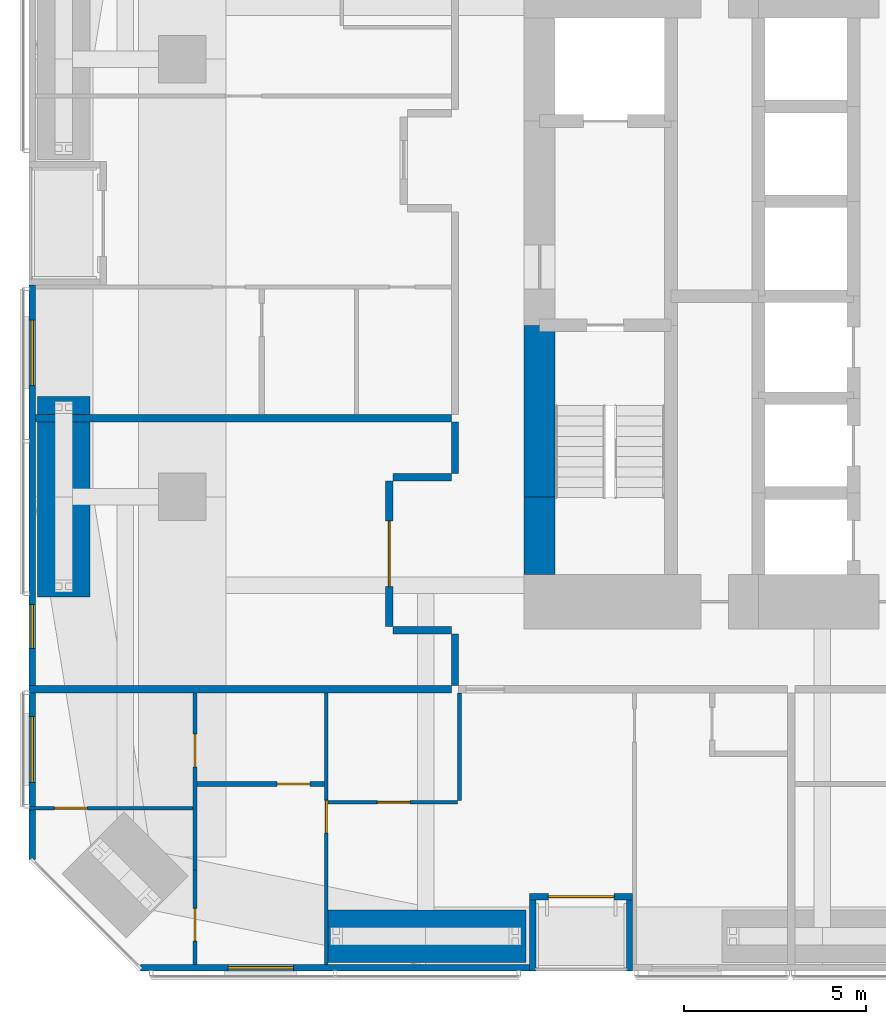
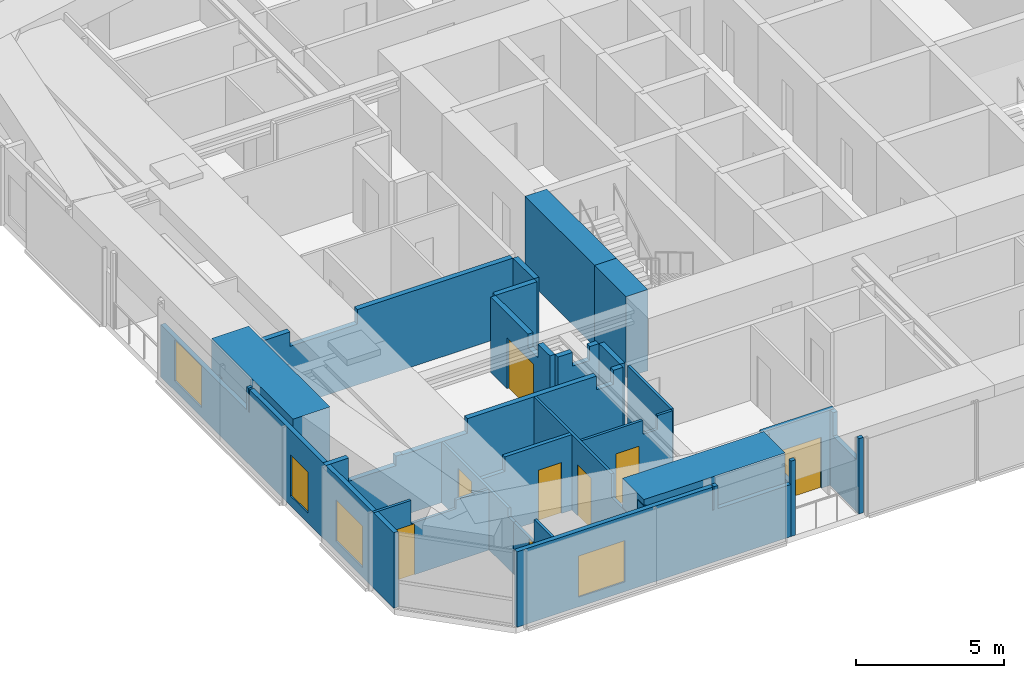
# One storey, part 17 of 24: 23 walls, 8 doors, 4 windows, 12 openings.
"""IFC4 building model written with IfcOpenShell, lengths in metres."""

from ifc_helpers import new_model, si_unit, direction, frame, frame_2d, origin, place, context, subcontext, project, spatial, polyline, rectangle, outline, extrude, material, layer, layer_set, constituent, constituent_set, type_object, element, fill, save


model = new_model("IFC4")

# Units and contexts
model_context = context("Model", 3, precision=1e-05, world=origin(), true_north=direction((0.0, 1.0)))
body_context = subcontext(model_context, "Body", "Model", "MODEL_VIEW")
ifc_project = project(units=[si_unit("LENGTHUNIT", "METRE"), si_unit("AREAUNIT", "SQUARE_METRE"), si_unit("VOLUMEUNIT", "CUBIC_METRE"), si_unit("PLANEANGLEUNIT", "RADIAN"), si_unit("MASSUNIT", "GRAM", prefix="KILO")], contexts=[model_context])

# Site, building, storey
site_placement = place(None, origin())
site = spatial("IfcSite", under=ifc_project, at=site_placement, CompositionType="ELEMENT")
building_placement = place(site_placement, origin())
building = spatial("IfcBuilding", under=site, at=building_placement, Name="Jalousie Tower", CompositionType="ELEMENT")
storey_placement = place(building_placement, frame((0.0, 0.0, 128.300048828125)))
storey = spatial("IfcBuildingStorey", under=building, at=storey_placement, Name="L35", CompositionType="ELEMENT", Elevation=128.300048828125)

# Wall, opening, door
ifc_material_1 = material(Name="Concrete block ASTM C90", Category="concrete")
ifc_constituent_1 = constituent(ifc_material_1, Name="Body")
ifc_material_2 = material(Name="Render")
ifc_constituent_2 = constituent(ifc_material_2, Name="Finish")
ifc_constituent_set_1 = constituent_set(constituents=[ifc_constituent_1, ifc_constituent_2])
wall_type_1 = type_object("IfcWallType", Name="BATHROOM WALL 150", PredefinedType="PLUMBINGWALL", material=ifc_constituent_set_1)
wall_1_placement = place(storey_placement, frame((10.60009765625, 5.125, 0.0), z_axis=(0.0, 0.0, 1.0), x_axis=(1.0, 0.0, 0.0)))
wall_1 = element("IfcWall", 1, at=wall_1_placement, inside=storey, type_object=wall_type_1, Name="Bathroom Wall 150 L35", PredefinedType="PLUMBINGWALL", context=body_context, shape_type="SweptSolid", body=[
    extrude(outline(polyline([(0.0, 0.0), (3.5, 0.0), (3.5, 3.10986328125), (0.885009765625, 3.10986328125), (0.885009765625, 2.510009765625), (0.0, 2.510009765625), (0.0, 3.10986328125), (0.0, 0.0)])), frame((0.0, 0.074951171875, 0.0), z_axis=(0.0, -1.0, 0.0), x_axis=(1.0, 0.0, 0.0)), (0.0, 0.0, 1.0), 0.14990234375),
])
opening_1_placement = place(wall_1_placement, frame((2.199951171875, 0.0, 0.0)))
opening_1 = element("IfcOpeningElement", 2, at=opening_1_placement, cuts=wall_1, Name="Opening D3", PredefinedType="OPENING", context=body_context, shape_type="SweptSolid", body=[
    extrude(rectangle(XDim=0.89990234375, YDim=2.10009765625, at=frame_2d((0.449951171875, 1.050048828125))), frame((0.0, 0.0849609375, 0.0), z_axis=(0.0, -1.0, 0.0), x_axis=(1.0, 0.0, 0.0)), (0.0, 0.0, 1.0), 0.169921875),
])
ifc_material_3 = material(Name="Timber door", Category="wood")
door_type_1 = type_object("IfcDoorType", Name="BATHROOM DOOR 900", OperationType="SINGLE_SWING_LEFT", PredefinedType="DOOR", material=ifc_material_3)
door_1_placement = place(opening_1_placement, origin())
door_1 = element("IfcDoor", 3, at=door_1_placement, inside=storey, type_object=door_type_1, Name="Apartment 3501 bedroom 2 bathroom door", OperationType="SINGLE_SWING_RIGHT", OverallHeight=2.10009765625, OverallWidth=0.89990234375, PredefinedType="DOOR", context=body_context, shape_type="SweptSolid", body=[
    extrude(rectangle(XDim=0.89990234375, YDim=2.10009765625, at=frame_2d((0.449951171875, 1.050048828125))), frame((0.0, 0.02490234375, 0.0), z_axis=(0.0, -1.0, 0.0), x_axis=(1.0, 0.0, 0.0)), (0.0, 0.0, 1.0), 0.050048828125),
])
fill(opening_1, door_1)

# Walls
ifc_material_4 = material(Name="Concrete f'c 120 MPa", Category="concrete")
ifc_layer_1 = layer(ifc_material_4, 0.85009765625)
ifc_layer_set_1 = layer_set([ifc_layer_1], Name="Concrete f'c 120 MPa")
wall_type_2 = type_object("IfcWallType", Name="CORE WALL 850", PredefinedType="SHEAR", material=ifc_layer_set_1)
wall_2_placement = place(storey_placement, frame((20.0, 17.699951171875, 0.0), z_axis=(0.0, 0.0, 1.0), x_axis=(0.0, -1.0, 0.0)))
element("IfcWall", 4, at=wall_2_placement, inside=storey, type_object=wall_type_2, Name="Core wall WC L35", PredefinedType="SHEAR", context=body_context, shape_type="SweptSolid", body=[
    extrude(rectangle(XDim=4.699951171875, YDim=0.85009765625, at=frame_2d((2.35009765625, 0.0))), origin(), (0.0, 0.0, 1.0), 3.349853515625),
])
wall_3_placement = place(storey_placement, frame((20.0, 13.0, 0.0), z_axis=(0.0, 0.0, 1.0), x_axis=(0.0, -1.0, 0.0)))
element("IfcWall", 5, at=wall_3_placement, inside=storey, type_object=wall_type_2, Name="Core wall WD L35", PredefinedType="SHEAR", context=body_context, shape_type="SweptSolid", body=[
    extrude(rectangle(XDim=2.125, YDim=0.85009765625, at=frame_2d((1.0625, 0.0))), origin(), (0.0, 0.0, 1.0), 3.349853515625),
])
ifc_material_5 = material(Name="Concrete block ASTM C90", Category="concrete")
ifc_constituent_3 = constituent(ifc_material_5, Name="Body")
ifc_material_6 = material(Name="Render")
ifc_constituent_4 = constituent(ifc_material_6, Name="Finish")
ifc_constituent_set_2 = constituent_set(constituents=[ifc_constituent_3, ifc_constituent_4])
wall_type_3 = type_object("IfcWallType", Name="CORRIDOR WALL 200", PredefinedType="PARTITIONING", material=ifc_constituent_set_2)
for number, where, z_axis, x_axis, name in (
    (6, (17.675048828125, 7.824951171875, 0.0), (0.0, 0.0, 1.0), (0.0, 1.0, 0.0), "Corridor Wall 200 L35"),
    (7, (17.675048828125, 13.637451171875, 0.0), (0.0, 0.0, 1.0), (0.0, 1.0, 0.0), "Corridor Wall 200 L35"),
):
    element("IfcWall", number, at=place(storey_placement, frame(where, z_axis=z_axis, x_axis=x_axis)), inside=storey, type_object=wall_type_3, Name=name, PredefinedType="PARTITIONING", context=body_context, shape_type="SweptSolid", body=[
        extrude(rectangle(XDim=1.41259765625, YDim=0.199951171875, at=frame_2d((0.706298828125, 0.0))), origin(), (0.0, 0.0, 1.0), 3.10986328125),
    ])

# Wall, opening, door
wall_4_placement = place(storey_placement, frame((15.875, 9.4375, 0.0), z_axis=(0.0, 0.0, 1.0), x_axis=(0.0, 1.0, 0.0)))
wall_4 = element("IfcWall", 8, at=wall_4_placement, inside=storey, type_object=wall_type_3, Name="Corridor Wall 200 L35", PredefinedType="PARTITIONING", context=body_context, shape_type="SweptSolid", body=[
    extrude(outline(polyline([(0.0, 0.0), (4.0, 0.0), (4.0, 3.10986328125), (1.474853515625, 3.10986328125), (1.474853515625, 2.541015625), (0.80029296875, 2.541015625), (0.80029296875, 3.10986328125), (0.0, 3.10986328125), (0.0, 0.0)])), frame((0.0, 0.10009765625, 0.0), z_axis=(0.0, -1.0, 0.0), x_axis=(1.0, 0.0, 0.0)), (0.0, 0.0, 1.0), 0.199951171875),
])
opening_2_placement = place(wall_4_placement, frame((1.10009765625, 0.0, 0.0)))
opening_2 = element("IfcOpeningElement", 9, at=opening_2_placement, cuts=wall_4, Name="Opening D22", PredefinedType="OPENING", context=body_context, shape_type="SweptSolid", body=[
    extrude(rectangle(XDim=1.800048828125, YDim=2.10009765625, at=frame_2d((0.89990234375, 1.050048828125))), frame((0.0, 0.10986328125, 0.0), z_axis=(0.0, -1.0, 0.0), x_axis=(1.0, 0.0, 0.0)), (0.0, 0.0, 1.0), 0.219970703125),
])
ifc_material_7 = material(Name="Timber fire door", Category="wood")
door_type_2 = type_object("IfcDoorType", Name="CORRIDOR DOUBLE DOOR 1800", OperationType="DOUBLE_DOOR_SINGLE_SWING", PredefinedType="DOOR", material=ifc_material_7)
door_2_placement = place(opening_2_placement, origin())
door_2 = element("IfcDoor", 10, at=door_2_placement, inside=storey, type_object=door_type_2, Name="Residents' library door", OperationType="DOUBLE_DOOR_SINGLE_SWING", OverallHeight=2.10009765625, OverallWidth=1.800048828125, PredefinedType="DOOR", context=body_context, shape_type="SweptSolid", body=[
    extrude(rectangle(XDim=1.800048828125, YDim=2.10009765625, at=frame_2d((0.89990234375, 1.050048828125))), frame((0.0, 0.02490234375, 0.0), z_axis=(0.0, -1.0, 0.0), x_axis=(1.0, 0.0, 0.0)), (0.0, 0.0, 1.0), 0.050048828125),
])
fill(opening_2, door_2)

# Walls
wall_5_placement = place(storey_placement, frame((17.574951171875, 9.33740234375, 0.0), z_axis=(0.0, 0.0, 1.0), x_axis=(-1.0, 0.0, 0.0)))
element("IfcWall", 11, at=wall_5_placement, inside=storey, type_object=wall_type_3, Name="Corridor Wall 200 L35", PredefinedType="PARTITIONING", context=body_context, shape_type="SweptSolid", body=[
    extrude(outline(polyline([(0.0, 0.0), (1.599853515625, 0.0), (1.60009765625, 3.10986328125), (1.037353515625, 3.10986328125), (1.037353515625, 2.541015625), (0.362548828125, 2.541015625), (0.362548828125, 3.10986328125), (0.0, 3.10986328125), (0.0, 0.0)])), frame((0.0, 0.10009765625, 0.0), z_axis=(0.0, -1.0, 0.0), x_axis=(1.0, 0.0, 0.0)), (0.0, 0.0, 1.0), 0.199951171875),
])
wall_6_placement = place(storey_placement, frame((17.574951171875, 13.53759765625, 0.0), z_axis=(0.0, 0.0, 1.0), x_axis=(-1.0, 0.0, 0.0)))
element("IfcWall", 12, at=wall_6_placement, inside=storey, type_object=wall_type_3, Name="Corridor Wall 200 L35", PredefinedType="PARTITIONING", context=body_context, shape_type="SweptSolid", body=[
    extrude(rectangle(XDim=1.599853515625, YDim=0.199951171875, at=frame_2d((0.7998046875, 0.0))), origin(), (0.0, 0.0, 1.0), 3.10986328125),
])

# Wall, opening, window
ifc_material_8 = material(Name="Concrete f'c 40 MPa", Category="concrete")
ifc_constituent_5 = constituent(ifc_material_8, Name="Body")
ifc_material_9 = material(Name="Render, pastel sea green")
ifc_constituent_6 = constituent(ifc_material_9, Name="Finish")
ifc_constituent_set_3 = constituent_set(constituents=[ifc_constituent_5, ifc_constituent_6])
wall_type_4 = type_object("IfcWallType", Name="EXTERNAL WALL 175 SEA GREEN RENDER", PredefinedType="SOLIDWALL", material=ifc_constituent_set_3)
wall_7_placement = place(storey_placement, frame((9.05126953125, 0.08740234375, 0.0), z_axis=(0.0, 0.0, 1.0), x_axis=(1.0, 0.0, 0.0)))
wall_7 = element("IfcWall", 13, at=wall_7_placement, inside=storey, type_object=wall_type_4, Name="External Wall 175 Sea Green Render L35", PredefinedType="SOLIDWALL", context=body_context, shape_type="SweptSolid", body=[
    extrude(outline(polyline([(0.0, 0.0), (10.673828125, 0.0), (10.673583984375, 2.14990234375), (7.82373046875, 2.14990234375), (7.82373046875, 3.10986328125), (7.66552734375, 3.10986328125), (7.66552734375, 2.14990234375), (7.620361328125, 2.14990234375), (7.620361328125, 3.10986328125), (0.0, 3.10986328125), (0.0, 0.0)])), frame((0.0, 0.08740234375, 0.0), z_axis=(0.0, -1.0, 0.0), x_axis=(1.0, 0.0, 0.0)), (0.0, 0.0, 1.0), 0.175048828125),
])
opening_3_placement = place(wall_7_placement, frame((2.398681640625, 0.0, 0.39990234375)))
opening_3 = element("IfcOpeningElement", 14, at=opening_3_placement, cuts=wall_7, Name="Opening W-BED170", PredefinedType="OPENING", context=body_context, shape_type="SweptSolid", body=[
    extrude(rectangle(XDim=1.800048828125, YDim=1.699951171875, at=frame_2d((0.89990234375, 0.85009765625))), frame((0.0, 0.097412109375, 0.0), z_axis=(0.0, -1.0, 0.0), x_axis=(1.0, 0.0, 0.0)), (0.0, 0.0, 1.0), 0.195068359375),
])
ifc_material_10 = material(Name="Aluminium frame, impact-rated glazing", Category="aluminium")
window_type_1 = type_object("IfcWindowType", Name="WINDOW BED 1800x1700", PartitioningType="SINGLE_PANEL", PredefinedType="WINDOW", material=ifc_material_10)
window_1_placement = place(opening_3_placement, origin())
window_1 = element("IfcWindow", 15, at=window_1_placement, inside=storey, type_object=window_type_1, Name="Apartment 3501 bedroom 2 window", OverallHeight=1.699951171875, OverallWidth=1.800048828125, PartitioningType="SINGLE_PANEL", PredefinedType="WINDOW", context=body_context, shape_type="SweptSolid", body=[
    extrude(rectangle(XDim=1.800048828125, YDim=1.699951171875, at=frame_2d((0.89990234375, 0.85009765625))), frame((0.0, 0.030029296875, 0.0), z_axis=(0.0, -1.0, 0.0), x_axis=(1.0, 0.0, 0.0)), (0.0, 0.0, 1.0), 0.06005859375),
])
fill(opening_3, window_1)

# Wall, opening, door
wall_8_placement = place(storey_placement, frame((19.72509765625, 2.03759765625, 0.0), z_axis=(0.0, 0.0, 1.0), x_axis=(1.0, 0.0, 0.0)))
wall_8 = element("IfcWall", 16, at=wall_8_placement, inside=storey, type_object=wall_type_4, Name="External Wall 175 Sea Green Render L35", PredefinedType="SOLIDWALL", context=body_context, shape_type="SweptSolid", body=[
    extrude(rectangle(XDim=2.824951171875, YDim=0.175048828125, at=frame_2d((1.41259765625, 0.0))), origin(), (0.0, 0.0, 1.0), 3.10986328125),
])
opening_4_placement = place(wall_8_placement, frame((0.512451171875, 0.0, 0.0)))
opening_4 = element("IfcOpeningElement", 17, at=opening_4_placement, cuts=wall_8, Name="Opening D-BAL21", PredefinedType="OPENING", context=body_context, shape_type="SweptSolid", body=[
    extrude(rectangle(XDim=1.800048828125, YDim=2.10009765625, at=frame_2d((0.89990234375, 1.050048828125))), frame((0.0, 0.097412109375, 0.0), z_axis=(0.0, -1.0, 0.0), x_axis=(1.0, 0.0, 0.0)), (0.0, 0.0, 1.0), 0.195068359375),
])
ifc_material_11 = material(Name="Aluminium frame, impact-rated glazing", Category="aluminium")
door_type_3 = type_object("IfcDoorType", Name="BALCONY DOOR 1800x2100", OperationType="SLIDING_TO_LEFT", PredefinedType="DOOR", material=ifc_material_11)
door_3_placement = place(opening_4_placement, origin())
door_3 = element("IfcDoor", 18, at=door_3_placement, inside=storey, type_object=door_type_3, Name="Apartment 3501 living and dining room loggia door", OperationType="SLIDING_TO_LEFT", OverallHeight=2.10009765625, OverallWidth=1.800048828125, PredefinedType="DOOR", context=body_context, shape_type="SweptSolid", body=[
    extrude(rectangle(XDim=1.800048828125, YDim=2.10009765625, at=frame_2d((0.89990234375, 1.050048828125))), frame((0.0, 0.02490234375, 0.0), z_axis=(0.0, -1.0, 0.0), x_axis=(1.0, 0.0, 0.0)), (0.0, 0.0, 1.0), 0.050048828125),
])
fill(opening_4, door_3)

# Walls
for number, where, z_axis, x_axis, name in (
    (19, (19.8125, 0.0, 0.0), (0.0, 0.0, 1.0), (0.0, 1.0, 0.0), "External Wall 175 Sea Green Render L35"),
    (20, (22.46240234375, 0.0, 0.0), (0.0, 0.0, 1.0), (0.0, 1.0, 0.0), "External Wall 175 Sea Green Render L35"),
):
    element("IfcWall", number, at=place(storey_placement, frame(where, z_axis=z_axis, x_axis=x_axis)), inside=storey, type_object=wall_type_4, Name=name, PredefinedType="SOLIDWALL", context=body_context, shape_type="SweptSolid", body=[
        extrude(outline(polyline([(0.0, 0.0), (1.949951171875, 0.0), (1.949951171875, 3.10986328125), (1.75, 3.10986328125), (1.75, 2.14990234375), (0.14990234375, 2.14990234375), (0.14990234375, 3.10986328125), (0.0, 3.10986328125), (0.0, 0.0)])), frame((0.0, 0.08740234375, 0.0), z_axis=(0.0, -1.0, 0.0), x_axis=(1.0, 0.0, 0.0)), (0.0, 0.0, 1.0), 0.175048828125),
    ])

# Wall, openings, windows
wall_9_placement = place(storey_placement, frame((6.08740234375, 18.800048828125, 0.0), z_axis=(0.0, 0.0, 1.0), x_axis=(0.0, -1.0, 0.0)))
wall_9 = element("IfcWall", 21, at=wall_9_placement, inside=storey, type_object=wall_type_4, Name="External Wall 175 Sea Green Render L35", PredefinedType="SOLIDWALL", context=body_context, shape_type="SweptSolid", body=[
    extrude(outline(polyline([(0.0, 0.0), (15.748779296875, 0.0), (15.748779296875, 3.10986328125), (6.0185546875, 3.10986328125), (6.0185546875, 2.14990234375), (5.92578125, 2.14990234375), (5.92578125, 3.10986328125), (5.800048828125, 3.10986328125), (5.800048828125, 2.14990234375), (0.0, 2.14990234375), (0.0, 0.0)])), frame((0.0, 0.08740234375, 0.0), z_axis=(0.0, -1.0, 0.0), x_axis=(1.0, 0.0, 0.0)), (0.0, 0.0, 1.0), 0.175048828125),
])
opening_5_placement = place(wall_9_placement, frame((0.949951171875, 0.0, 0.39990234375)))
opening_5 = element("IfcOpeningElement", 22, at=opening_5_placement, cuts=wall_9, Name="Opening W-BED170", PredefinedType="OPENING", context=body_context, shape_type="SweptSolid", body=[
    extrude(rectangle(XDim=1.800048828125, YDim=1.699951171875, at=frame_2d((0.89990234375, 0.85009765625))), frame((0.0, 0.097412109375, 0.0), z_axis=(0.0, -1.0, 0.0), x_axis=(1.0, 0.0, 0.0)), (0.0, 0.0, 1.0), 0.195068359375),
])
opening_6_placement = place(wall_9_placement, frame((8.759521484375, 0.0, 0.39990234375)))
opening_6 = element("IfcOpeningElement", 23, at=opening_6_placement, cuts=wall_9, Name="Opening W-COR170", PredefinedType="OPENING", context=body_context, shape_type="SweptSolid", body=[
    extrude(rectangle(XDim=1.199951171875, YDim=1.699951171875, at=frame_2d((0.60009765625, 0.85009765625))), frame((0.0, 0.097412109375, 0.0), z_axis=(0.0, -1.0, 0.0), x_axis=(1.0, 0.0, 0.0)), (0.0, 0.0, 1.0), 0.195068359375),
])
opening_7_placement = place(wall_9_placement, frame((11.83056640625, 0.0, 0.39990234375)))
opening_7 = element("IfcOpeningElement", 24, at=opening_7_placement, cuts=wall_9, Name="Opening W-BED170", PredefinedType="OPENING", context=body_context, shape_type="SweptSolid", body=[
    extrude(rectangle(XDim=1.800048828125, YDim=1.699951171875, at=frame_2d((0.89990234375, 0.85009765625))), frame((0.0, 0.097412109375, 0.0), z_axis=(0.0, -1.0, 0.0), x_axis=(1.0, 0.0, 0.0)), (0.0, 0.0, 1.0), 0.195068359375),
])
window_2_placement = place(opening_5_placement, origin())
window_2 = element("IfcWindow", 25, at=window_2_placement, inside=storey, type_object=window_type_1, Name="Apartment 3505 bedroom 1 window", OverallHeight=1.699951171875, OverallWidth=1.800048828125, PartitioningType="SINGLE_PANEL", PredefinedType="WINDOW", context=body_context, shape_type="SweptSolid", body=[
    extrude(rectangle(XDim=1.800048828125, YDim=1.699951171875, at=frame_2d((0.89990234375, 0.85009765625))), frame((0.0, 0.030029296875, 0.0), z_axis=(0.0, -1.0, 0.0), x_axis=(1.0, 0.0, 0.0)), (0.0, 0.0, 1.0), 0.06005859375),
])
fill(opening_5, window_2)
window_3_placement = place(opening_7_placement, origin())
window_3 = element("IfcWindow", 26, at=window_3_placement, inside=storey, type_object=window_type_1, Name="Apartment 3501 bedroom 1 window", OverallHeight=1.699951171875, OverallWidth=1.800048828125, PartitioningType="SINGLE_PANEL", PredefinedType="WINDOW", context=body_context, shape_type="SweptSolid", body=[
    extrude(rectangle(XDim=1.800048828125, YDim=1.699951171875, at=frame_2d((0.89990234375, 0.85009765625))), frame((0.0, 0.030029296875, 0.0), z_axis=(0.0, -1.0, 0.0), x_axis=(1.0, 0.0, 0.0)), (0.0, 0.0, 1.0), 0.06005859375),
])
fill(opening_7, window_3)
ifc_material_12 = material(Name="Aluminium frame, impact-rated glazing", Category="aluminium")
window_type_2 = type_object("IfcWindowType", Name="WINDOW COR 1200x1700", PartitioningType="SINGLE_PANEL", PredefinedType="WINDOW", material=ifc_material_12)
window_4_placement = place(opening_6_placement, origin())
window_4 = element("IfcWindow", 27, at=window_4_placement, inside=storey, type_object=window_type_2, Name="Residents' library window", OverallHeight=1.699951171875, OverallWidth=1.199951171875, PartitioningType="SINGLE_PANEL", PredefinedType="WINDOW", context=body_context, shape_type="SweptSolid", body=[
    extrude(rectangle(XDim=1.199951171875, YDim=1.699951171875, at=frame_2d((0.60009765625, 0.85009765625))), frame((0.0, 0.030029296875, 0.0), z_axis=(0.0, -1.0, 0.0), x_axis=(1.0, 0.0, 0.0)), (0.0, 0.0, 1.0), 0.06005859375),
])
fill(opening_6, window_4)

# Wall, opening, door
ifc_material_13 = material(Name="Gypsum board", Category="gypsum")
ifc_constituent_7 = constituent(ifc_material_13, Name="Body")
ifc_material_14 = material(Name="Light-gauge steel studs ASTM A653 SS Grade 33", Category="steel")
ifc_constituent_8 = constituent(ifc_material_14, Name="Framing")
ifc_constituent_set_4 = constituent_set(constituents=[ifc_constituent_7, ifc_constituent_8])
wall_type_5 = type_object("IfcWallType", Name="PARTITION 100", PredefinedType="PARTITIONING", material=ifc_constituent_set_4)
wall_10_placement = place(storey_placement, frame((10.550048828125, 0.175048828125, 0.0), z_axis=(0.0, 0.0, 1.0), x_axis=(0.0, 1.0, 0.0)))
wall_10 = element("IfcWall", 28, at=wall_10_placement, inside=storey, type_object=wall_type_5, Name="Partition 100 L35-A", PredefinedType="PARTITIONING", context=body_context, shape_type="SweptSolid", body=[
    extrude(outline(polyline([(0.0, 0.0), (2.5849609375, 0.0), (2.5849609375, 2.14990234375), (1.1875, 2.14990234375), (1.1875, 3.10986328125), (0.0, 3.10986328125), (0.0, 0.0)])), frame((0.0, 0.050048828125, 0.0), z_axis=(0.0, -1.0, 0.0), x_axis=(1.0, 0.0, 0.0)), (0.0, 0.0, 1.0), 0.10009765625),
])
opening_8_placement = place(wall_10_placement, frame((0.638916015625, 0.0, 0.0)))
opening_8 = element("IfcOpeningElement", 29, at=opening_8_placement, cuts=wall_10, Name="Opening D2", PredefinedType="OPENING", context=body_context, shape_type="SweptSolid", body=[
    extrude(rectangle(XDim=0.89990234375, YDim=2.10009765625, at=frame_2d((0.449951171875, 1.050048828125))), frame((0.0, 0.06005859375, 0.0), z_axis=(0.0, -1.0, 0.0), x_axis=(1.0, 0.0, 0.0)), (0.0, 0.0, 1.0), 0.1201171875),
])
ifc_material_15 = material(Name="Timber door", Category="wood")
door_type_4 = type_object("IfcDoorType", Name="BEDROOM DOOR 900", OperationType="SINGLE_SWING_LEFT", PredefinedType="DOOR", material=ifc_material_15)
door_4_placement = place(opening_8_placement, frame((0.89990234375, 0.0, 0.0), z_axis=(0.0, 0.0, 1.0), x_axis=(-1.0, 0.0, 0.0)))
door_4 = element("IfcDoor", 30, at=door_4_placement, inside=storey, type_object=door_type_4, Name="Apartment 3501 bedroom 1 door", OperationType="SINGLE_SWING_RIGHT", OverallHeight=2.10009765625, OverallWidth=0.89990234375, PredefinedType="DOOR", context=body_context, shape_type="SweptSolid", body=[
    extrude(rectangle(XDim=0.89990234375, YDim=2.10009765625, at=frame_2d((0.449951171875, 1.050048828125))), frame((0.0, 0.02490234375, 0.0), z_axis=(0.0, -1.0, 0.0), x_axis=(1.0, 0.0, 0.0)), (0.0, 0.0, 1.0), 0.050048828125),
])
fill(opening_8, door_4)

wall_11_placement = place(storey_placement, frame((10.550048828125, 2.760009765625, 0.0), z_axis=(0.0, 0.0, 1.0), x_axis=(0.0, 1.0, 0.0)))
wall_11 = element("IfcWall", 31, at=wall_11_placement, inside=storey, type_object=wall_type_5, Name="Partition 100 L35-B", PredefinedType="PARTITIONING", context=body_context, shape_type="SweptSolid", body=[
    extrude(outline(polyline([(0.0, 0.0), (4.864990234375, 0.0), (4.864990234375, 2.510009765625), (0.35791015625, 2.510009765625), (0.35791015625, 2.14990234375), (0.0, 2.14990234375), (0.0, 0.0)])), frame((0.0, 0.050048828125, 0.0), z_axis=(0.0, -1.0, 0.0), x_axis=(1.0, 0.0, 0.0)), (0.0, 0.0, 1.0), 0.10009765625),
])
opening_9_placement = place(wall_11_placement, frame((2.83447265625, 0.0, 0.0)))
opening_9 = element("IfcOpeningElement", 32, at=opening_9_placement, cuts=wall_11, Name="Opening D3", PredefinedType="OPENING", context=body_context, shape_type="SweptSolid", body=[
    extrude(rectangle(XDim=0.89990234375, YDim=2.10009765625, at=frame_2d((0.449951171875, 1.050048828125))), frame((0.0, 0.06005859375, 0.0), z_axis=(0.0, -1.0, 0.0), x_axis=(1.0, 0.0, 0.0)), (0.0, 0.0, 1.0), 0.1201171875),
])
door_5_placement = place(opening_9_placement, frame((0.89990234375, 0.0, 0.0), z_axis=(0.0, 0.0, 1.0), x_axis=(-1.0, 0.0, 0.0)))
door_5 = element("IfcDoor", 33, at=door_5_placement, inside=storey, type_object=door_type_1, Name="Apartment 3501 bedroom 1 bathroom door", OperationType="SINGLE_SWING_RIGHT", OverallHeight=2.10009765625, OverallWidth=0.89990234375, PredefinedType="DOOR", context=body_context, shape_type="SweptSolid", body=[
    extrude(rectangle(XDim=0.89990234375, YDim=2.10009765625, at=frame_2d((0.449951171875, 1.050048828125))), frame((0.0, 0.02490234375, 0.0), z_axis=(0.0, -1.0, 0.0), x_axis=(1.0, 0.0, 0.0)), (0.0, 0.0, 1.0), 0.050048828125),
])
fill(opening_9, door_5)

wall_12_placement = place(storey_placement, frame((14.14990234375, 0.175048828125, 0.0), z_axis=(0.0, 0.0, 1.0), x_axis=(0.0, 1.0, 0.0)))
wall_12 = element("IfcWall", 34, at=wall_12_placement, inside=storey, type_object=wall_type_5, Name="Partition 100 L35", PredefinedType="PARTITIONING", context=body_context, shape_type="SweptSolid", body=[
    extrude(outline(polyline([(0.0, 0.0), (7.449951171875, 0.0), (7.449951171875, 3.10986328125), (2.20849609375, 3.10986328125), (2.20849609375, 2.14990234375), (0.453125, 2.14990234375), (0.453125, 3.10986328125), (0.0, 3.10986328125), (0.0, 0.0)])), frame((0.0, 0.050048828125, 0.0), z_axis=(0.0, -1.0, 0.0), x_axis=(1.0, 0.0, 0.0)), (0.0, 0.0, 1.0), 0.10009765625),
])
opening_10_placement = place(wall_12_placement, frame((3.60009765625, 0.0, 0.0)))
opening_10 = element("IfcOpeningElement", 35, at=opening_10_placement, cuts=wall_12, Name="Opening D2", PredefinedType="OPENING", context=body_context, shape_type="SweptSolid", body=[
    extrude(rectangle(XDim=0.89990234375, YDim=2.10009765625, at=frame_2d((0.449951171875, 1.050048828125))), frame((0.0, 0.06005859375, 0.0), z_axis=(0.0, -1.0, 0.0), x_axis=(1.0, 0.0, 0.0)), (0.0, 0.0, 1.0), 0.1201171875),
])
door_6_placement = place(opening_10_placement, origin())
door_6 = element("IfcDoor", 36, at=door_6_placement, inside=storey, type_object=door_type_4, Name="Apartment 3501 bedroom 2 door", OperationType="SINGLE_SWING_RIGHT", OverallHeight=2.10009765625, OverallWidth=0.89990234375, PredefinedType="DOOR", context=body_context, shape_type="SweptSolid", body=[
    extrude(rectangle(XDim=0.89990234375, YDim=2.10009765625, at=frame_2d((0.449951171875, 1.050048828125))), frame((0.0, 0.02490234375, 0.0), z_axis=(0.0, -1.0, 0.0), x_axis=(1.0, 0.0, 0.0)), (0.0, 0.0, 1.0), 0.050048828125),
])
fill(opening_10, door_6)

wall_13_placement = place(storey_placement, frame((6.0, 4.4638671875, 0.0), z_axis=(0.0, 0.0, 1.0), x_axis=(1.0, 0.0, 0.0)))
wall_13 = element("IfcWall", 37, at=wall_13_placement, inside=storey, type_object=wall_type_5, Name="Partition 100 L35", PredefinedType="PARTITIONING", context=body_context, shape_type="SweptSolid", body=[
    extrude(outline(polyline([(0.0, 0.0), (4.5, 0.0), (4.5, 3.10986328125), (4.5, 2.510009765625), (3.20556640625, 2.510009765625), (3.20556640625, 2.14990234375), (1.462890625, 2.14990234375), (1.462890625, 3.10986328125), (0.0, 3.10986328125), (0.0, 0.0)])), frame((0.0, 0.050048828125, 0.0), z_axis=(0.0, -1.0, 0.0), x_axis=(1.0, 0.0, 0.0)), (0.0, 0.0, 1.0), 0.10009765625),
])
opening_11_placement = place(wall_13_placement, frame((0.699951171875, 0.0, 0.0)))
opening_11 = element("IfcOpeningElement", 38, at=opening_11_placement, cuts=wall_13, Name="Opening D7", PredefinedType="OPENING", context=body_context, shape_type="SweptSolid", body=[
    extrude(rectangle(XDim=0.89990234375, YDim=2.10009765625, at=frame_2d((0.449951171875, 1.050048828125))), frame((0.0, 0.06005859375, 0.0), z_axis=(0.0, -1.0, 0.0), x_axis=(1.0, 0.0, 0.0)), (0.0, 0.0, 1.0), 0.1201171875),
])
ifc_material_16 = material(Name="Timber door", Category="wood")
door_type_5 = type_object("IfcDoorType", Name="INTERNAL DOOR 900", OperationType="SINGLE_SWING_LEFT", PredefinedType="DOOR", material=ifc_material_16)
door_7_placement = place(opening_11_placement, origin())
door_7 = element("IfcDoor", 39, at=door_7_placement, inside=storey, type_object=door_type_5, Name="Apartment 3501 bedroom 1 dressing hall door", OperationType="SINGLE_SWING_LEFT", OverallHeight=2.10009765625, OverallWidth=0.89990234375, PredefinedType="DOOR", context=body_context, shape_type="SweptSolid", body=[
    extrude(rectangle(XDim=0.89990234375, YDim=2.10009765625, at=frame_2d((0.449951171875, 1.050048828125))), frame((0.0, 0.02490234375, 0.0), z_axis=(0.0, -1.0, 0.0), x_axis=(1.0, 0.0, 0.0)), (0.0, 0.0, 1.0), 0.050048828125),
])
fill(opening_11, door_7)

wall_14_placement = place(storey_placement, frame((14.199951171875, 4.625, 0.0), z_axis=(0.0, 0.0, 1.0), x_axis=(1.0, 0.0, 0.0)))
wall_14 = element("IfcWall", 40, at=wall_14_placement, inside=storey, type_object=wall_type_5, Name="Partition 100 L35", PredefinedType="PARTITIONING", context=body_context, shape_type="SweptSolid", body=[
    extrude(outline(polyline([(0.0, 0.0), (3.550048828125, 0.0), (3.550048828125, 3.10986328125), (2.96240234375, 3.10986328125), (2.96240234375, 2.541015625), (2.3876953125, 2.541015625), (2.3876953125, 3.10986328125), (0.0, 3.10986328125), (0.0, 0.0)])), frame((0.0, 0.050048828125, 0.0), z_axis=(0.0, -1.0, 0.0), x_axis=(1.0, 0.0, 0.0)), (0.0, 0.0, 1.0), 0.10009765625),
])
opening_12_placement = place(wall_14_placement, frame((1.35009765625, 0.0, 0.0)))
opening_12 = element("IfcOpeningElement", 41, at=opening_12_placement, cuts=wall_14, Name="Opening D7", PredefinedType="OPENING", context=body_context, shape_type="SweptSolid", body=[
    extrude(rectangle(XDim=0.89990234375, YDim=2.10009765625, at=frame_2d((0.449951171875, 1.050048828125))), frame((0.0, 0.06005859375, 0.0), z_axis=(0.0, -1.0, 0.0), x_axis=(1.0, 0.0, 0.0)), (0.0, 0.0, 1.0), 0.1201171875),
])
door_8_placement = place(opening_12_placement, frame((0.89990234375, 0.0, 0.0), z_axis=(0.0, 0.0, 1.0), x_axis=(-1.0, 0.0, 0.0)))
door_8 = element("IfcDoor", 42, at=door_8_placement, inside=storey, type_object=door_type_5, Name="Apartment 3501 kitchen door", OperationType="SINGLE_SWING_RIGHT", OverallHeight=2.10009765625, OverallWidth=0.89990234375, PredefinedType="DOOR", context=body_context, shape_type="SweptSolid", body=[
    extrude(rectangle(XDim=0.89990234375, YDim=2.10009765625, at=frame_2d((0.449951171875, 1.050048828125))), frame((0.0, 0.02490234375, 0.0), z_axis=(0.0, -1.0, 0.0), x_axis=(1.0, 0.0, 0.0)), (0.0, 0.0, 1.0), 0.050048828125),
])
fill(opening_12, door_8)

# Walls
wall_15_placement = place(storey_placement, frame((17.800048828125, 4.675048828125, 0.0), z_axis=(0.0, 0.0, 1.0), x_axis=(0.0, 1.0, 0.0)))
element("IfcWall", 43, at=wall_15_placement, inside=storey, type_object=wall_type_5, Name="Partition 100 L35", PredefinedType="PARTITIONING", context=body_context, shape_type="SweptSolid", body=[
    extrude(rectangle(XDim=2.949951171875, YDim=0.10009765625, at=frame_2d((1.47509765625, 0.0))), origin(), (0.0, 0.0, 1.0), 3.10986328125),
])
ifc_material_17 = material(Name="Concrete block ASTM C90", Category="concrete")
ifc_constituent_9 = constituent(ifc_material_17, Name="Body")
ifc_material_18 = material(Name="Render")
ifc_constituent_10 = constituent(ifc_material_18, Name="Finish")
ifc_constituent_set_5 = constituent_set(constituents=[ifc_constituent_9, ifc_constituent_10])
wall_type_6 = type_object("IfcWallType", Name="PARTY WALL 200", PredefinedType="PARTITIONING", material=ifc_constituent_set_5)
wall_16_placement = place(storey_placement, frame((6.0, 7.72509765625, 0.0), z_axis=(0.0, 0.0, 1.0), x_axis=(1.0, 0.0, 0.0)))
element("IfcWall", 44, at=wall_16_placement, inside=storey, type_object=wall_type_6, Name="Party Wall 200 L35", PredefinedType="PARTITIONING", context=body_context, shape_type="SweptSolid", body=[
    extrude(outline(polyline([(0.0, 0.0), (11.574951171875, 0.0), (11.574951171875, 3.10986328125), (11.21240234375, 3.10986328125), (11.21240234375, 2.541015625), (10.53759765625, 2.541015625), (10.53759765625, 3.10986328125), (5.510009765625, 3.10986328125), (5.510009765625, 2.510009765625), (2.96875, 2.510009765625), (2.96875, 2.541015625), (2.727294921875, 2.541015625), (2.727294921875, 2.14990234375), (0.883544921875, 2.14990234375), (0.883544921875, 3.10986328125), (0.0, 3.10986328125), (0.0, 0.0)])), frame((0.0, 0.10009765625, 0.0), z_axis=(0.0, -1.0, 0.0), x_axis=(1.0, 0.0, 0.0)), (0.0, 0.0, 1.0), 0.199951171875),
])
wall_17_placement = place(storey_placement, frame((6.175048828125, 15.14990234375, 0.0), z_axis=(0.0, 0.0, 1.0), x_axis=(1.0, 0.0, 0.0)))
element("IfcWall", 45, at=wall_17_placement, inside=storey, type_object=wall_type_6, Name="Party Wall 200 L35", PredefinedType="PARTITIONING", context=body_context, shape_type="SweptSolid", body=[
    extrude(outline(polyline([(0.52880859375, 2.14990234375), (0.0, 2.14990234375), (0.0, 0.0), (0.52880859375, 0.0), (0.52880859375, 0.0341796875), (1.021240234375, 0.0341796875), (1.021240234375, 0.0), (11.39990234375, 0.0), (11.39990234375, 3.10986328125), (5.3349609375, 3.10986328125), (5.3349609375, 2.510009765625), (2.715087890625, 2.510009765625), (2.715087890625, 3.10986328125), (1.68505859375, 3.10986328125), (1.68505859375, 2.14990234375), (1.021240234375, 2.14990234375), (1.021240234375, 2.11572265625), (0.52880859375, 2.11572265625), (0.52880859375, 2.14990234375)])), frame((0.0, 0.10009765625, 0.0), z_axis=(0.0, -1.0, 0.0), x_axis=(1.0, 0.0, 0.0)), (0.0, 0.0, 1.0), 0.199951171875),
])
ifc_material_19 = material(Name="Concrete f'c 120 MPa", Category="concrete")
ifc_layer_2 = layer(ifc_material_19, 1.449951171875)
ifc_layer_set_2 = layer_set([ifc_layer_2], Name="Concrete f'c 120 MPa")
wall_type_7 = type_object("IfcWallType", Name="RC WALL PIER 1450", PredefinedType="SHEAR", material=ifc_layer_set_2)
for number, where, z_axis, x_axis, name in (
    (46, (14.125, 0.949951171875, 0.0), (0.0, 0.0, 1.0), (1.0, 0.0, 0.0), "Wall pier 02 L35"),
    (47, (6.949951171875, 10.25, 0.0), (0.0, 0.0, 1.0), (0.0, 1.0, 0.0), "Wall pier 14 L35"),
):
    element("IfcWall", number, at=place(storey_placement, frame(where, z_axis=z_axis, x_axis=x_axis)), inside=storey, type_object=wall_type_7, Name=name, PredefinedType="SHEAR", context=body_context, shape_type="SweptSolid", body=[
        extrude(rectangle(XDim=5.5, YDim=1.449951171875, at=frame_2d((2.75, 0.0))), origin(), (0.0, 0.0, 1.0), 3.349853515625),
    ])

save(model, "model.ifc")
